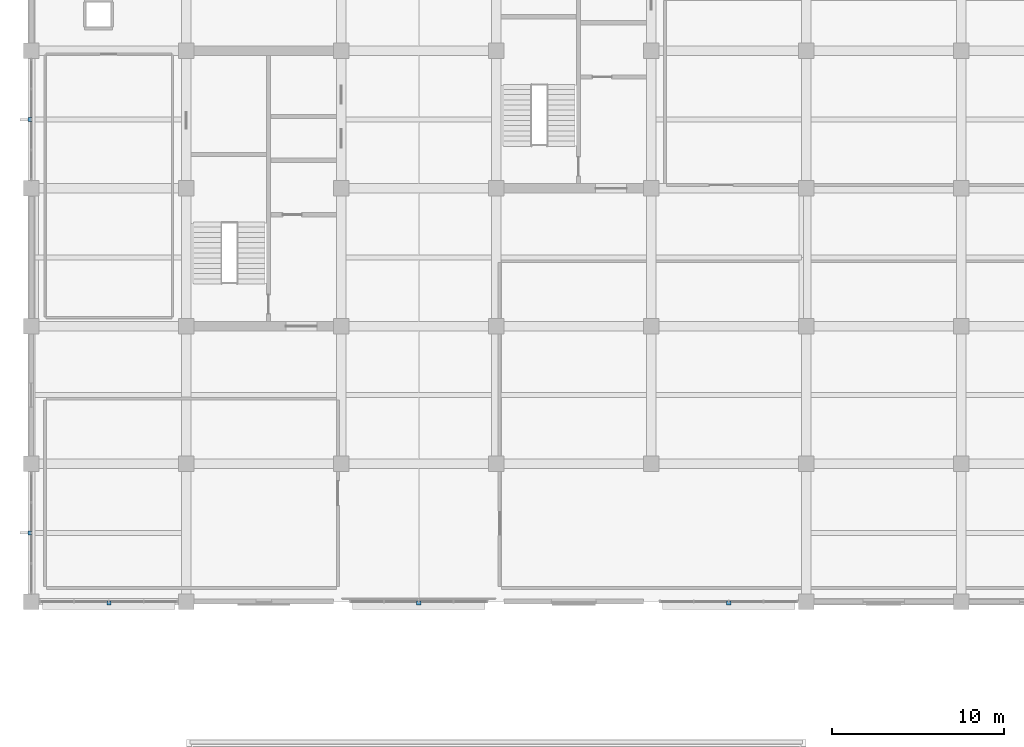
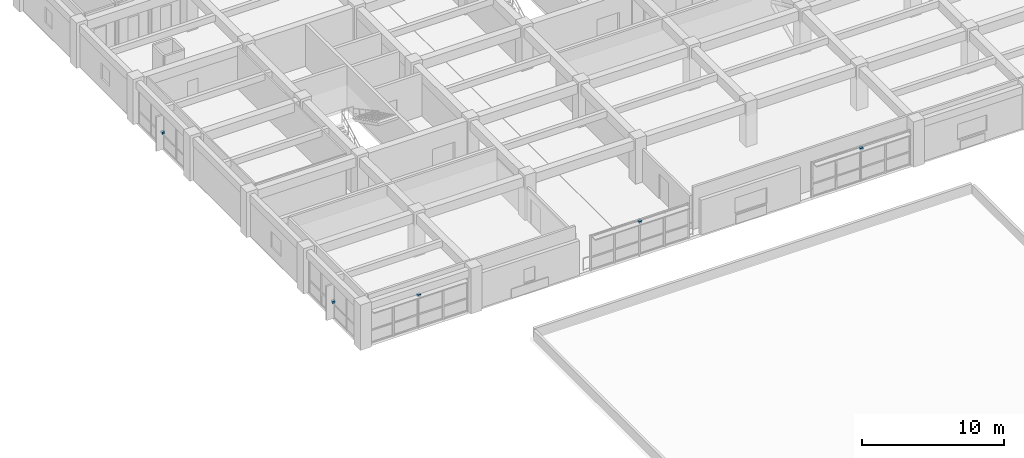
# One storey, part 20 of 23: 5 discrete accessories.
"""IFC4 building model written with IfcOpenShell, lengths in metres."""

from ifc_helpers import new_model, si_unit, direction, frame, origin, origin_2d, place, context, subcontext, project, spatial, rectangle, extrude, material, layer, layer_set, type_object, element, save


model = new_model("IFC4")

# Units and contexts
model_context = context("Model", 3, precision=1e-05, world=origin(), true_north=direction((0.0, 1.0)))
body_context = subcontext(model_context, "Body", "Model", "MODEL_VIEW")
ifc_project = project(units=[si_unit("LENGTHUNIT", "METRE"), si_unit("AREAUNIT", "SQUARE_METRE"), si_unit("VOLUMEUNIT", "CUBIC_METRE"), si_unit("PLANEANGLEUNIT", "RADIAN"), si_unit("MASSUNIT", "GRAM", prefix="KILO")], contexts=[model_context])

# Site, building, storey
site_placement = place(None, origin())
site = spatial("IfcSite", under=ifc_project, at=site_placement, CompositionType="ELEMENT")
building_placement = place(site_placement, origin())
building = spatial("IfcBuilding", under=site, at=building_placement, Name="Zaverband Oceanarium and Marine Research Institute", CompositionType="ELEMENT")
storey_placement = place(building_placement, frame((0.0, 0.0, 21.89990234375)))
storey = spatial("IfcBuildingStorey", under=building, at=storey_placement, Name="L05", CompositionType="ELEMENT", Elevation=21.89990234375)

# Discrete accessories
ifc_material = material(Name="Steel S355", Category="steel")
ifc_layer = layer(ifc_material, 0.179931640625, Name="Steel S355")
ifc_layer_set = layer_set([ifc_layer], Name="Steel S355")
discrete_accessory_type = type_object("IfcDiscreteAccessoryType", Name="BRK-STL-200", PredefinedType="BRACKET", material=ifc_layer_set)
for number, where, z_axis, x_axis, name in (
    (1, (13.5, 63.919921875, 2.75), (0.0, 0.0, 1.0), (1.0, 0.0, 0.0), "Galvanized steel facade fin structural bracket BRK-STL-200"),
    (2, (31.5, 63.919921875, 2.75), (0.0, 0.0, 1.0), (1.0, 0.0, 0.0), "Galvanized steel facade fin structural bracket BRK-STL-200"),
    (3, (49.5, 63.919921875, 2.75), (0.0, 0.0, 1.0), (1.0, 0.0, 0.0), "Galvanized steel facade fin structural bracket BRK-STL-200"),
    (4, (8.919921875, 68.0, 1.3203125), (0.0, 0.0, 1.0), (1.0, 0.0, 0.0), "Galvanized steel facade fin structural bracket BRK-STL-200"),
    (5, (8.919921875, 92.0, 1.3203125), (0.0, 0.0, 1.0), (1.0, 0.0, 0.0), "Galvanized steel facade fin structural bracket BRK-STL-200"),
):
    element("IfcDiscreteAccessory", number, at=place(storey_placement, frame(where, z_axis=z_axis, x_axis=x_axis)), inside=storey, type_object=discrete_accessory_type, Name=name, PredefinedType="BRACKET", context=body_context, shape_type="SweptSolid", body=[
        extrude(rectangle(XDim=0.239990234375, YDim=0.239990234375, at=origin_2d()), origin(), (0.0, 0.0, 1.0), 0.179931640625),
    ])

save(model, "model.ifc")
